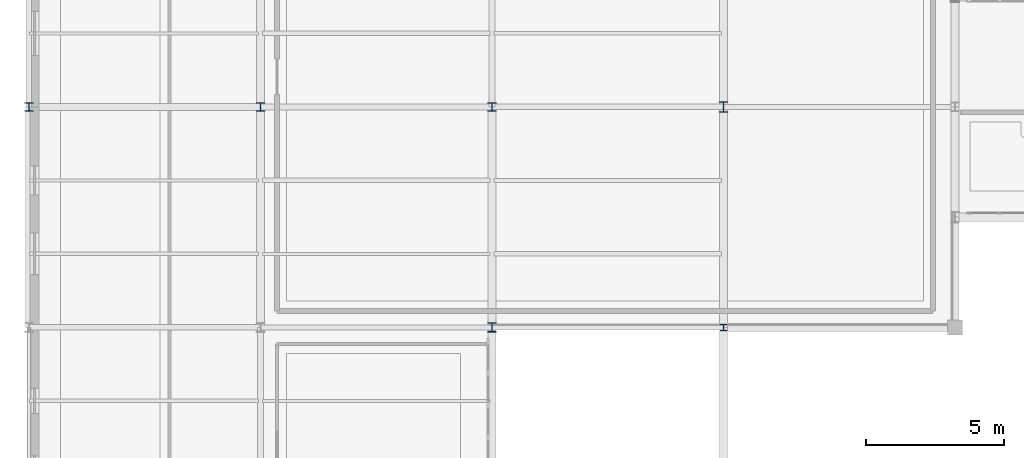
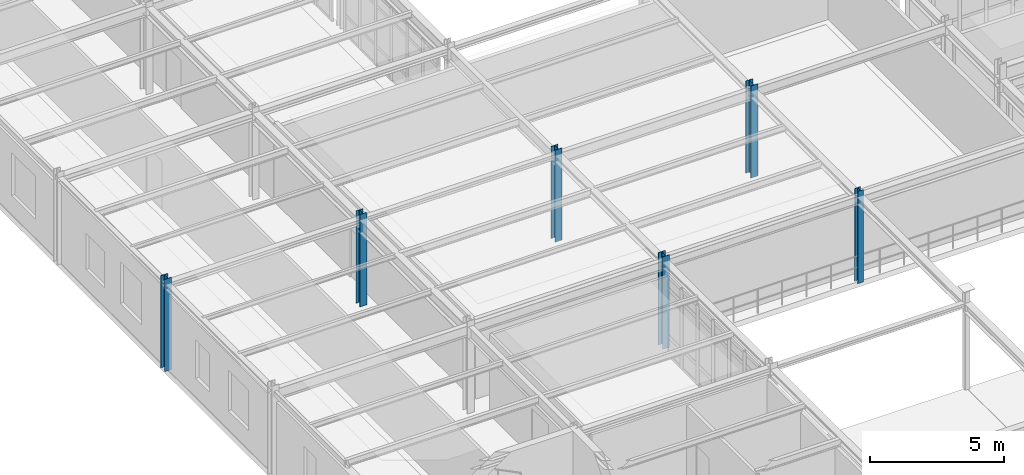
# One storey, part 4 of 90: 6 columns.
"""IFC4 building model written with IfcOpenShell, lengths in metres."""

import ifcopenshell
import ifcopenshell.guid

model = None  # the IFC model being written
_history = None  # IfcOwnerHistory: only IFC2X3 demands one
_inside = {}  # id of a spatial element -> (the spatial element, [elements in it])
_under = {}  # id of a project, library or spatial element -> (it, [spatial elements below it])
_declared = {}  # id of a project -> (the project, [libraries it declares])
_typed = {}  # id of a type object -> (the type object, [elements of that type])
_made_of = {}  # id of a material, layer set ... -> (it, [elements and type objects made of it])


def new_model(schema):
    """Start an empty IFC model of exactly this schema.

    Asked for "IFC4X3", IfcOpenShell would pick the latest addendum, in which some entities
    have other attributes; the version numbers below select the first issue.
    IFC2X3 requires an IfcOwnerHistory on every rooted entity: one is made here for all.
    """
    global model, _history
    if schema == "IFC4X3":
        model = ifcopenshell.file(schema_version=(4, 3, 0, 0))
    else:
        model = ifcopenshell.file(schema=schema)
    _inside.clear()
    _under.clear()
    _declared.clear()
    _typed.clear()
    _made_of.clear()
    _history = None
    if model.schema == "IFC2X3":
        org = make("IfcOrganization", Name="unknown")
        user = make(
            "IfcPersonAndOrganization",
            ThePerson=make("IfcPerson", FamilyName="unknown"),
            TheOrganization=org,
        )
        app = make(
            "IfcApplication",
            ApplicationDeveloper=org,
            Version="unknown",
            ApplicationFullName="unknown",
            ApplicationIdentifier="unknown",
        )
        _history = make(
            "IfcOwnerHistory",
            OwningUser=user,
            OwningApplication=app,
            ChangeAction="ADDED",
            CreationDate=0,
        )
    return model


def make(cls, **values):
    """One entity of the class cls with the attributes given. An attribute that is None is left unset."""
    return model.create_entity(
        cls, **{name: value for name, value in values.items() if value is not None}
    )


def rooted(cls, **values):
    """An entity with a GlobalId (a new one), such as an element, a storey or a relation."""
    return make(cls, GlobalId=ifcopenshell.guid.new(), OwnerHistory=_history, **values)


def si_unit(unit_type, name, prefix=None):
    """IfcSIUnit, for example si_unit("LENGTHUNIT", "METRE", prefix="MILLI")."""
    return make("IfcSIUnit", UnitType=unit_type, Prefix=prefix, Name=name)


def derived_unit(unit_type, elements):
    """IfcDerivedUnit: a product of units, each with its exponent."""
    return make(
        "IfcDerivedUnit",
        Elements=[
            make("IfcDerivedUnitElement", Unit=unit, Exponent=power)
            for unit, power in elements
        ],
        UnitType=unit_type,
    )


def assignment(units):
    """IfcUnitAssignment: the units of a project."""
    return None if units is None else make("IfcUnitAssignment", Units=units)


def point(xyz):
    """IfcCartesianPoint."""
    return None if xyz is None else make("IfcCartesianPoint", Coordinates=xyz)


def direction(xyz):
    """IfcDirection."""
    return None if xyz is None else make("IfcDirection", DirectionRatios=xyz)


def frame(location, z_axis=None, x_axis=None):
    """IfcAxis2Placement3D, a coordinate frame: its origin and axes. An axis left out is left unset."""
    return make(
        "IfcAxis2Placement3D",
        Location=point(location),
        Axis=direction(z_axis),
        RefDirection=direction(x_axis),
    )


def frame_2d(location, x_axis=None):
    """IfcAxis2Placement2D, a coordinate frame in the plane: its origin and x axis."""
    return make(
        "IfcAxis2Placement2D", Location=point(location), RefDirection=direction(x_axis)
    )


def origin():
    """The frame at (0, 0, 0) with its axes left unset."""
    return frame((0.0, 0.0, 0.0))


def origin_2d():
    """The frame at (0, 0) in the plane with its x axis left unset."""
    return frame_2d((0.0, 0.0))


def place(relative_to, where):
    """IfcLocalPlacement: puts the frame where relative to a parent placement (None: the world)."""
    return make(
        "IfcLocalPlacement", PlacementRelTo=relative_to, RelativePlacement=where
    )


def context(
    kind, dimensions, precision=None, world=None, true_north=None, identifier=None
):
    """IfcGeometricRepresentationContext, for example the 3D "Model" context."""
    return make(
        "IfcGeometricRepresentationContext",
        ContextIdentifier=identifier,
        ContextType=kind,
        CoordinateSpaceDimension=dimensions,
        Precision=precision,
        WorldCoordinateSystem=world,
        TrueNorth=true_north,
    )


def subcontext(parent, identifier, kind, view, scale=None):
    """IfcGeometricRepresentationSubContext, for example "Body" below "Model"."""
    return make(
        "IfcGeometricRepresentationSubContext",
        ContextIdentifier=identifier,
        ContextType=kind,
        ParentContext=parent,
        TargetScale=scale,
        TargetView=view,
    )


def project(units=None, contexts=None):
    """IfcProject with its units and contexts."""
    return rooted(
        "IfcProject",
        Name="project",
        RepresentationContexts=contexts,
        UnitsInContext=assignment(units),
    )


def spatial(cls, under=None, at=None, **own):
    """A site, building, storey or space (cls), placed at a placement, below another one or the project."""
    s = rooted(cls, ObjectPlacement=at, **own)
    if under is not None:
        _under.setdefault(under.id(), (under, []))[1].append(s)
    return s


def profile(cls, at=None, kind="AREA", **sizes):
    """A parametric profile (cls). Its sizes go by their IFC names, for example OverallWidth=200.0."""
    return make(cls, ProfileType=kind, Position=at, **sizes)


def i_section(**sizes):
    """IfcIShapeProfileDef."""
    return profile("IfcIShapeProfileDef", **sizes)


def extrude(swept, where, along, depth):
    """IfcExtrudedAreaSolid: the profile swept, set in the frame where, extruded along a direction by depth."""
    return make(
        "IfcExtrudedAreaSolid",
        SweptArea=swept,
        Position=where,
        ExtrudedDirection=direction(along),
        Depth=depth,
    )


def shape(context_of_items, identifier, shape_type, items):
    """IfcShapeRepresentation: the items that make up one representation, for example the "Body"."""
    return make(
        "IfcShapeRepresentation",
        ContextOfItems=context_of_items,
        RepresentationIdentifier=identifier,
        RepresentationType=shape_type,
        Items=items,
    )


def material(Name=None, Category=None):
    """IfcMaterial."""
    return make("IfcMaterial", Name=Name, Category=Category)


def material_profile(
    of_material, cross_section, Name=None, Category=None, Priority=None
):
    """IfcMaterialProfile: a cross section and its material."""
    return make(
        "IfcMaterialProfile",
        Name=Name,
        Material=of_material,
        Profile=cross_section,
        Priority=Priority,
        Category=Category,
    )


def profile_set(profiles, Name=None, composite=None):
    """IfcMaterialProfileSet."""
    return make(
        "IfcMaterialProfileSet",
        Name=Name,
        MaterialProfiles=profiles,
        CompositeProfile=composite,
    )


def made_of(thing, what):
    """Note that an element or type object is made of a material, layer set ...; save() writes the relation."""
    if what is not None:
        _made_of.setdefault(what.id(), (what, []))[1].append(thing)
    return thing


def type_object(cls, material=None, **own):
    """A type object (cls), such as IfcWallType, which elements share."""
    return made_of(rooted(cls, **own), material)


def element(
    cls,
    number,
    at=None,
    inside=None,
    cuts=None,
    type_object=None,
    material=None,
    context=None,
    identifier="Body",
    shape_type=None,
    held_by="IfcProductDefinitionShape",
    body=None,
    shapes=None,
    **own,
):
    """One element of the class cls, such as IfcWall. Its Tag is "e" and its number.

    at: its placement. inside: the storey or other place that contains it. cuts: it is an
    opening in that element (IfcRelVoidsElement). A single representation is given by context,
    identifier, shape_type and body (its items); several are given by shapes. held_by: the class
    of the entity that holds the representations. save() writes the other relations.
    """
    e = rooted(cls, Tag="e%d" % number, ObjectPlacement=at, **own)
    if body is not None:
        shapes = [shape(context, identifier, shape_type, body)]
    if shapes is not None:
        e.Representation = make(held_by, Representations=shapes)
    if inside is not None:
        _inside.setdefault(inside.id(), (inside, []))[1].append(e)
    if cuts is not None:
        rooted(
            "IfcRelVoidsElement", RelatingBuildingElement=cuts, RelatedOpeningElement=e
        )
    if type_object is not None:
        _typed.setdefault(type_object.id(), (type_object, []))[1].append(e)
    return made_of(e, material)


def aggregate(whole, parts):
    """IfcRelAggregates: a whole, such as a stair, and the parts it consists of."""
    return rooted("IfcRelAggregates", RelatingObject=whole, RelatedObjects=parts)


def save(model, path):
    """Write the relations noted so far, then the file.

    IfcRelAggregates (storeys below a building ...), IfcRelContainedInSpatialStructure (elements
    in a storey), IfcRelDefinesByType, IfcRelAssociatesMaterial and IfcRelDeclares: one each for
    every whole, place, type object, material and project.
    """
    for whole, parts in _under.values():
        aggregate(whole, parts)
    for where, things in _inside.values():
        rooted(
            "IfcRelContainedInSpatialStructure",
            RelatedElements=things,
            RelatingStructure=where,
        )
    for kind, things in _typed.values():
        rooted("IfcRelDefinesByType", RelatedObjects=things, RelatingType=kind)
    for what, things in _made_of.values():
        rooted("IfcRelAssociatesMaterial", RelatedObjects=things, RelatingMaterial=what)
    for by, libraries in _declared.values():
        rooted("IfcRelDeclares", RelatingContext=by, RelatedDefinitions=libraries)
    model.write(path)


model = new_model("IFC4")

# Units and contexts
model_context = context("Model", 3, precision=1e-05, world=origin(), true_north=direction((0.0, 1.0)))
body_context = subcontext(model_context, "Body", "Model", "MODEL_VIEW")
ifc_project = project(units=[si_unit("LENGTHUNIT", "METRE"), si_unit("AREAUNIT", "SQUARE_METRE"), si_unit("VOLUMEUNIT", "CUBIC_METRE"), si_unit("PLANEANGLEUNIT", "RADIAN"), si_unit("MASSUNIT", "GRAM", prefix="KILO"), derived_unit("THERMALTRANSMITTANCEUNIT", [(si_unit("POWERUNIT", "WATT"), 1), (si_unit("AREAUNIT", "SQUARE_METRE"), -1), (si_unit("THERMODYNAMICTEMPERATUREUNIT", "KELVIN"), -1)])], contexts=[model_context])

# Site, building, storey
site_placement = place(None, origin())
site = spatial("IfcSite", under=ifc_project, at=site_placement, CompositionType="ELEMENT")
building_placement = place(site_placement, origin())
building = spatial("IfcBuilding", under=site, at=building_placement, Name="Yasenodar Specialist Clinic", CompositionType="ELEMENT")
storey_placement = place(building_placement, frame((0.0, 0.0, 9.0)))
storey = spatial("IfcBuildingStorey", under=building, at=storey_placement, Name="L02", CompositionType="ELEMENT", Elevation=9.0)

# Columns
ifc_material = material(Name="Steel S355", Category="steel")
ifc_material_profile_1 = material_profile(ifc_material, i_section(OverallWidth=0.300048828125, OverallDepth=0.389892578125, WebThickness=0.010986328125, FlangeThickness=0.01904296875, FilletRadius=0.027099609375, at=origin_2d()), Name="HEA 400")
ifc_profile_set_1 = profile_set([ifc_material_profile_1], Name="Steel S355")
column_type_1 = type_object("IfcColumnType", Name="COL-ST-HEA400", PredefinedType="COLUMN", material=ifc_profile_set_1)
column_1_placement = place(storey_placement, frame((25.199951171875, 58.800048828125, 0.0), z_axis=(0.0, 0.0, 1.0), x_axis=(1.0, 0.0, 0.0)))
element("IfcColumn", 1, at=column_1_placement, inside=storey, type_object=column_type_1, Name="L02 Column V4-053", PredefinedType="COLUMN", context=body_context, shape_type="SweptSolid", body=[
    extrude(i_section(OverallWidth=0.300048828125, OverallDepth=0.389892578125, WebThickness=0.010986328125, FlangeThickness=0.01904296875, FilletRadius=0.027099609375, at=origin_2d()), origin(), (0.0, 0.0, 1.0), 4.199951171875),
])
ifc_material_profile_2 = material_profile(ifc_material, i_section(OverallWidth=0.239990234375, OverallDepth=0.239990234375, WebThickness=0.010009765625, FlangeThickness=0.01708984375, FilletRadius=0.02099609375, at=origin_2d()), Name="HEB 240")
ifc_profile_set_2 = profile_set([ifc_material_profile_2], Name="Steel S355")
column_type_2 = type_object("IfcColumnType", Name="COL-ST-HEB240", PredefinedType="COLUMN", material=ifc_profile_set_2)
column_2_placement = place(storey_placement, frame((25.199951171875, 50.800048828125, 0.0), z_axis=(0.0, 0.0, 1.0), x_axis=(1.0, 0.0, 0.0)))
element("IfcColumn", 2, at=column_2_placement, inside=storey, type_object=column_type_2, Name="L02 Column V4-052", PredefinedType="COLUMN", context=body_context, shape_type="SweptSolid", body=[
    extrude(i_section(OverallWidth=0.239990234375, OverallDepth=0.239990234375, WebThickness=0.010009765625, FlangeThickness=0.01708984375, FilletRadius=0.02099609375, at=origin_2d()), origin(), (0.0, 0.0, 1.0), 4.199951171875),
])
ifc_material_profile_3 = material_profile(ifc_material, i_section(OverallWidth=0.300048828125, OverallDepth=0.300048828125, WebThickness=0.010986328125, FlangeThickness=0.01904296875, FilletRadius=0.027099609375, at=origin_2d()), Name="HEB 300")
ifc_profile_set_3 = profile_set([ifc_material_profile_3], Name="Steel S355")
column_type_3 = type_object("IfcColumnType", Name="COL-ST-HEB300", PredefinedType="COLUMN", material=ifc_profile_set_3)
for number, where, z_axis, x_axis, name in (
    (3, (0.0, 58.800048828125, 0.0), (0.0, 0.0, 1.0), (1.0, 0.0, 0.0), "L02 Column V4-008"),
    (4, (8.39990234375, 58.800048828125, 0.0), (0.0, 0.0, 1.0), (1.0, 0.0, 0.0), "L02 Column V4-023"),
    (5, (16.800048828125, 58.800048828125, 0.0), (0.0, 0.0, 1.0), (1.0, 0.0, 0.0), "L02 Column V4-038"),
):
    element("IfcColumn", number, at=place(storey_placement, frame(where, z_axis=z_axis, x_axis=x_axis)), inside=storey, type_object=column_type_3, Name=name, PredefinedType="COLUMN", context=body_context, shape_type="SweptSolid", body=[
        extrude(i_section(OverallWidth=0.300048828125, OverallDepth=0.300048828125, WebThickness=0.010986328125, FlangeThickness=0.01904296875, FilletRadius=0.027099609375, at=origin_2d()), origin(), (0.0, 0.0, 1.0), 4.199951171875),
    ])
ifc_material_profile_4 = material_profile(ifc_material, i_section(OverallWidth=0.300048828125, OverallDepth=0.340087890625, WebThickness=0.011962890625, FlangeThickness=0.021484375, FilletRadius=0.027099609375, at=origin_2d()), Name="HEB 340")
ifc_profile_set_4 = profile_set([ifc_material_profile_4], Name="Steel S355")
column_type_4 = type_object("IfcColumnType", Name="COL-ST-HEB340", PredefinedType="COLUMN", material=ifc_profile_set_4)
column_3_placement = place(storey_placement, frame((16.800048828125, 50.800048828125, 0.0), z_axis=(0.0, 0.0, 1.0), x_axis=(1.0, 0.0, 0.0)))
element("IfcColumn", 6, at=column_3_placement, inside=storey, type_object=column_type_4, Name="L02 Column V4-037", PredefinedType="COLUMN", context=body_context, shape_type="SweptSolid", body=[
    extrude(i_section(OverallWidth=0.300048828125, OverallDepth=0.340087890625, WebThickness=0.011962890625, FlangeThickness=0.021484375, FilletRadius=0.027099609375, at=origin_2d()), origin(), (0.0, 0.0, 1.0), 4.199951171875),
])

save(model, "model.ifc")
